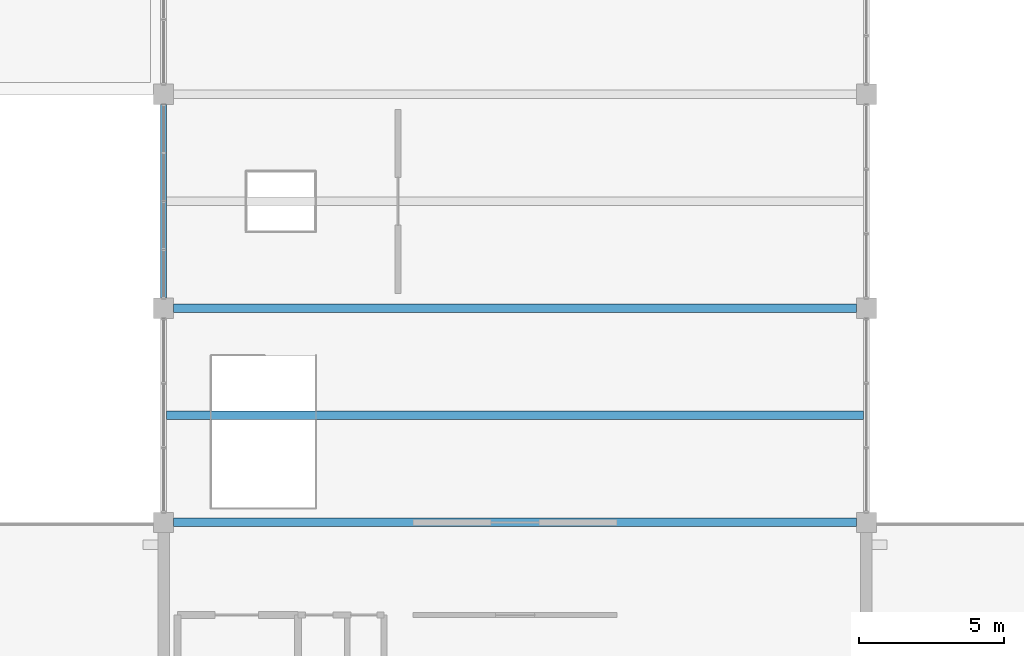
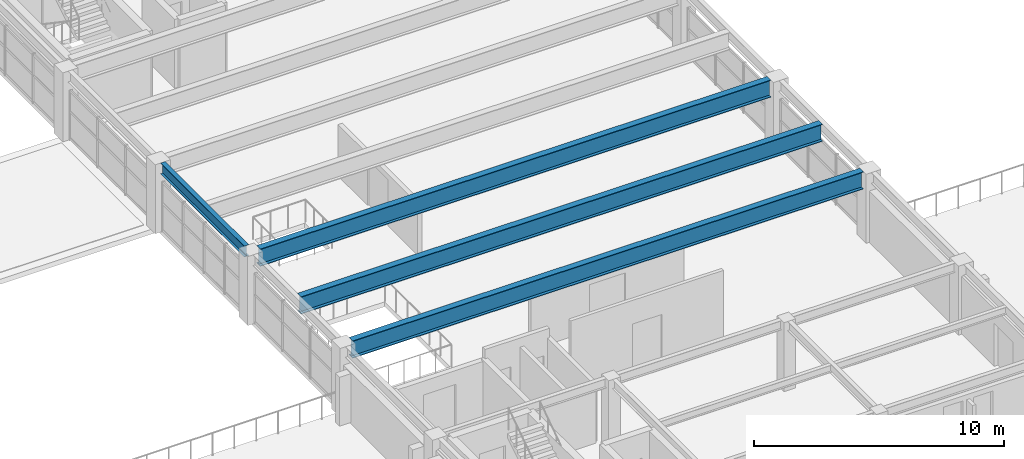
# One storey, part 26 of 121: 4 beams.
"""IFC4 building model written with IfcOpenShell, lengths in metres."""

from ifc_helpers import new_model, si_unit, direction, frame, origin, origin_2d, place, context, subcontext, project, spatial, i_section, extrude, material, material_profile, profile_set, type_object, element, save


model = new_model("IFC4")

# Units and contexts
model_context = context("Model", 3, precision=1e-05, world=origin(), true_north=direction((0.0, 1.0)))
body_context = subcontext(model_context, "Body", "Model", "MODEL_VIEW")
ifc_project = project(units=[si_unit("LENGTHUNIT", "METRE"), si_unit("AREAUNIT", "SQUARE_METRE"), si_unit("VOLUMEUNIT", "CUBIC_METRE"), si_unit("PLANEANGLEUNIT", "RADIAN"), si_unit("MASSUNIT", "GRAM", prefix="KILO")], contexts=[model_context])

# Site, building, storey
site_placement = place(None, origin())
site = spatial("IfcSite", under=ifc_project, at=site_placement, CompositionType="ELEMENT")
building_placement = place(site_placement, origin())
building = spatial("IfcBuilding", under=site, at=building_placement, Name="Cimatlan Art Gallery", CompositionType="ELEMENT")
storey_placement = place(building_placement, frame((0.0, 0.0, 10.199951171875)))
storey = spatial("IfcBuildingStorey", under=building, at=storey_placement, Name="L02", CompositionType="ELEMENT", Elevation=10.199951171875)

# Beams
ifc_material = material(Name="Steel ASTM A992 Grade 50", Category="steel")
ifc_material_profile_1 = material_profile(ifc_material, i_section(OverallWidth=0.2919921875, OverallDepth=0.845947265625, WebThickness=0.015380859375, FlangeThickness=0.0244140625, at=origin_2d()), Name="W33X141")
ifc_profile_set_1 = profile_set([ifc_material_profile_1], Name="Steel ASTM A992 Grade 50")
beam_type_1 = type_object("IfcBeamType", Name="BM-SPAN24-L03", PredefinedType="BEAM", material=ifc_profile_set_1)
beam_1_placement = place(storey_placement, frame((75.25, 38.699951171875, 2.947021484375), z_axis=(1.0, 0.0, 0.0), x_axis=(0.0, 1.0, 0.0)))
element("IfcBeam", 1, at=beam_1_placement, inside=storey, type_object=beam_type_1, Name="BM-SP24-L02-05", PredefinedType="BEAM", context=body_context, shape_type="SweptSolid", body=[
    extrude(i_section(OverallWidth=0.2919921875, OverallDepth=0.845947265625, WebThickness=0.015380859375, FlangeThickness=0.0244140625, at=origin_2d()), origin(), (0.0, 0.0, 1.0), 23.60009765625),
])
beam_2_placement = place(storey_placement, frame((75.0048828125, 42.39990234375, 2.947021484375), z_axis=(1.0, 0.0, 0.0), x_axis=(0.0, 1.0, 0.0)))
element("IfcBeam", 2, at=beam_2_placement, inside=storey, type_object=beam_type_1, Name="BM-SP24M-L02-05", PredefinedType="BEAM", context=body_context, shape_type="SweptSolid", body=[
    extrude(i_section(OverallWidth=0.2919921875, OverallDepth=0.845947265625, WebThickness=0.015380859375, FlangeThickness=0.0244140625, at=origin_2d()), origin(), (0.0, 0.0, 1.0), 24.090087890625),
])
beam_3_placement = place(storey_placement, frame((75.25, 46.10009765625, 2.947021484375), z_axis=(1.0, 0.0, 0.0), x_axis=(0.0, 1.0, 0.0)))
element("IfcBeam", 3, at=beam_3_placement, inside=storey, type_object=beam_type_1, Name="BM-SP24-L02-06", PredefinedType="BEAM", context=body_context, shape_type="SweptSolid", body=[
    extrude(i_section(OverallWidth=0.2919921875, OverallDepth=0.845947265625, WebThickness=0.015380859375, FlangeThickness=0.0244140625, at=origin_2d()), origin(), (0.0, 0.0, 1.0), 23.60009765625),
])
ifc_material_profile_2 = material_profile(ifc_material, i_section(OverallWidth=0.2099609375, OverallDepth=0.532958984375, WebThickness=0.01025390625, FlangeThickness=0.015625, at=origin_2d()), Name="W21X62")
ifc_profile_set_2 = profile_set([ifc_material_profile_2], Name="Steel ASTM A992 Grade 50")
beam_type_2 = type_object("IfcBeamType", Name="BM-STL-W21X62", PredefinedType="BEAM", material=ifc_profile_set_2)
beam_4_placement = place(storey_placement, frame((74.89990234375, 46.449951171875, 3.103515625), z_axis=(0.0, 1.0, 0.0), x_axis=(-1.0, 0.0, 0.0)))
element("IfcBeam", 4, at=beam_4_placement, inside=storey, type_object=beam_type_2, Name="BM-Y-L02-09-06", PredefinedType="BEAM", context=body_context, shape_type="SweptSolid", body=[
    extrude(i_section(OverallWidth=0.2099609375, OverallDepth=0.532958984375, WebThickness=0.01025390625, FlangeThickness=0.015625, at=origin_2d()), origin(), (0.0, 0.0, 1.0), 6.699951171875),
])

save(model, "model.ifc")
